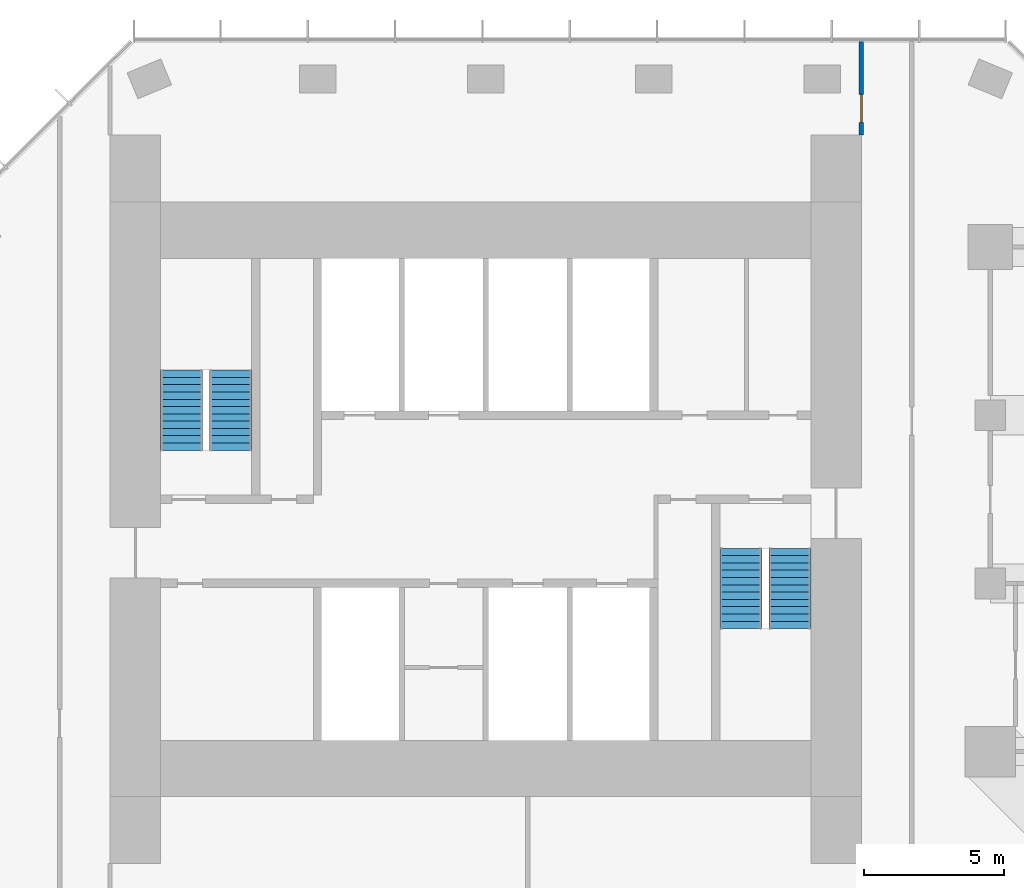
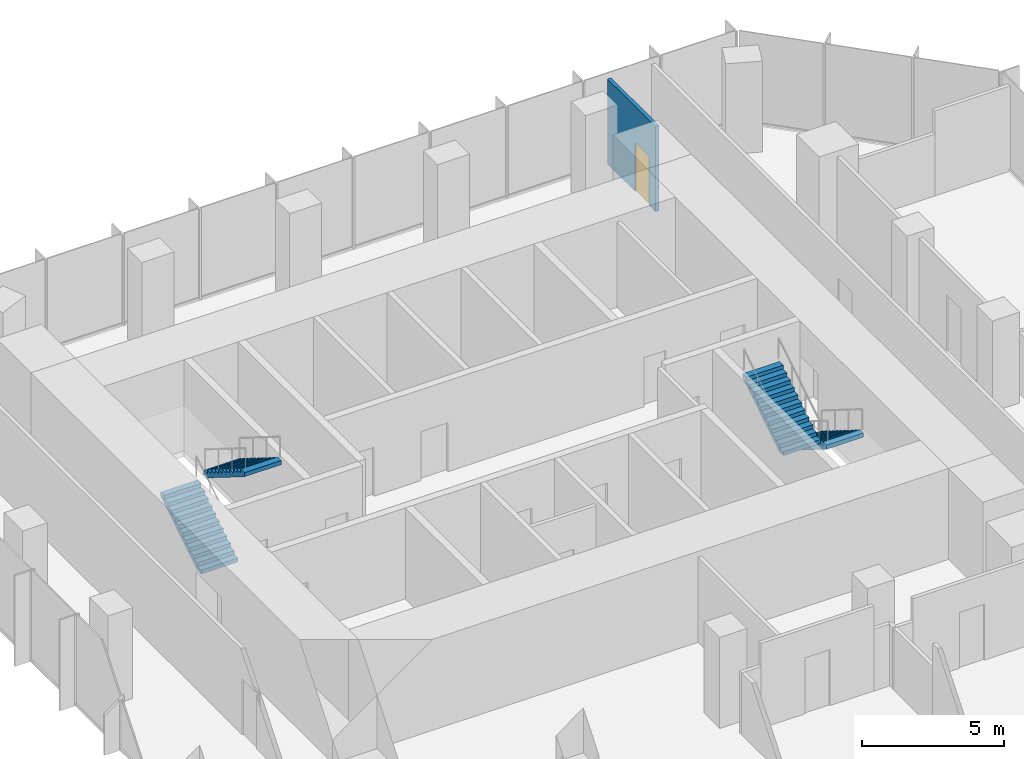
# One storey, part 10 of 11: 4 stair flights, 1 door, 1 wall, 1 opening, 2 elements without a shape of their own.
"""IFC4 building model written with IfcOpenShell, lengths in metres."""

import ifcopenshell
import ifcopenshell.guid

model = None  # the IFC model being written
_history = None  # IfcOwnerHistory: only IFC2X3 demands one
_inside = {}  # id of a spatial element -> (the spatial element, [elements in it])
_under = {}  # id of a project, library or spatial element -> (it, [spatial elements below it])
_declared = {}  # id of a project -> (the project, [libraries it declares])
_typed = {}  # id of a type object -> (the type object, [elements of that type])
_made_of = {}  # id of a material, layer set ... -> (it, [elements and type objects made of it])


def new_model(schema):
    """Start an empty IFC model of exactly this schema.

    Asked for "IFC4X3", IfcOpenShell would pick the latest addendum, in which some entities
    have other attributes; the version numbers below select the first issue.
    IFC2X3 requires an IfcOwnerHistory on every rooted entity: one is made here for all.
    """
    global model, _history
    if schema == "IFC4X3":
        model = ifcopenshell.file(schema_version=(4, 3, 0, 0))
    else:
        model = ifcopenshell.file(schema=schema)
    _inside.clear()
    _under.clear()
    _declared.clear()
    _typed.clear()
    _made_of.clear()
    _history = None
    if model.schema == "IFC2X3":
        org = make("IfcOrganization", Name="unknown")
        user = make(
            "IfcPersonAndOrganization",
            ThePerson=make("IfcPerson", FamilyName="unknown"),
            TheOrganization=org,
        )
        app = make(
            "IfcApplication",
            ApplicationDeveloper=org,
            Version="unknown",
            ApplicationFullName="unknown",
            ApplicationIdentifier="unknown",
        )
        _history = make(
            "IfcOwnerHistory",
            OwningUser=user,
            OwningApplication=app,
            ChangeAction="ADDED",
            CreationDate=0,
        )
    return model


def make(cls, **values):
    """One entity of the class cls with the attributes given. An attribute that is None is left unset."""
    return model.create_entity(
        cls, **{name: value for name, value in values.items() if value is not None}
    )


def rooted(cls, **values):
    """An entity with a GlobalId (a new one), such as an element, a storey or a relation."""
    return make(cls, GlobalId=ifcopenshell.guid.new(), OwnerHistory=_history, **values)


def si_unit(unit_type, name, prefix=None):
    """IfcSIUnit, for example si_unit("LENGTHUNIT", "METRE", prefix="MILLI")."""
    return make("IfcSIUnit", UnitType=unit_type, Prefix=prefix, Name=name)


def assignment(units):
    """IfcUnitAssignment: the units of a project."""
    return None if units is None else make("IfcUnitAssignment", Units=units)


def point(xyz):
    """IfcCartesianPoint."""
    return None if xyz is None else make("IfcCartesianPoint", Coordinates=xyz)


def direction(xyz):
    """IfcDirection."""
    return None if xyz is None else make("IfcDirection", DirectionRatios=xyz)


def frame(location, z_axis=None, x_axis=None):
    """IfcAxis2Placement3D, a coordinate frame: its origin and axes. An axis left out is left unset."""
    return make(
        "IfcAxis2Placement3D",
        Location=point(location),
        Axis=direction(z_axis),
        RefDirection=direction(x_axis),
    )


def frame_2d(location, x_axis=None):
    """IfcAxis2Placement2D, a coordinate frame in the plane: its origin and x axis."""
    return make(
        "IfcAxis2Placement2D", Location=point(location), RefDirection=direction(x_axis)
    )


def origin():
    """The frame at (0, 0, 0) with its axes left unset."""
    return frame((0.0, 0.0, 0.0))


def place(relative_to, where):
    """IfcLocalPlacement: puts the frame where relative to a parent placement (None: the world)."""
    return make(
        "IfcLocalPlacement", PlacementRelTo=relative_to, RelativePlacement=where
    )


def context(
    kind, dimensions, precision=None, world=None, true_north=None, identifier=None
):
    """IfcGeometricRepresentationContext, for example the 3D "Model" context."""
    return make(
        "IfcGeometricRepresentationContext",
        ContextIdentifier=identifier,
        ContextType=kind,
        CoordinateSpaceDimension=dimensions,
        Precision=precision,
        WorldCoordinateSystem=world,
        TrueNorth=true_north,
    )


def subcontext(parent, identifier, kind, view, scale=None):
    """IfcGeometricRepresentationSubContext, for example "Body" below "Model"."""
    return make(
        "IfcGeometricRepresentationSubContext",
        ContextIdentifier=identifier,
        ContextType=kind,
        ParentContext=parent,
        TargetScale=scale,
        TargetView=view,
    )


def project(units=None, contexts=None):
    """IfcProject with its units and contexts."""
    return rooted(
        "IfcProject",
        Name="project",
        RepresentationContexts=contexts,
        UnitsInContext=assignment(units),
    )


def spatial(cls, under=None, at=None, **own):
    """A site, building, storey or space (cls), placed at a placement, below another one or the project."""
    s = rooted(cls, ObjectPlacement=at, **own)
    if under is not None:
        _under.setdefault(under.id(), (under, []))[1].append(s)
    return s


def polyline(points):
    """IfcPolyline through the points."""
    return make("IfcPolyline", Points=[point(p) for p in points])


def profile(cls, at=None, kind="AREA", **sizes):
    """A parametric profile (cls). Its sizes go by their IFC names, for example OverallWidth=200.0."""
    return make(cls, ProfileType=kind, Position=at, **sizes)


def rectangle(**sizes):
    """IfcRectangleProfileDef."""
    return profile("IfcRectangleProfileDef", **sizes)


def outline(outer, holes=None, kind="AREA"):
    """IfcArbitraryClosedProfileDef: a profile drawn as a closed curve; with holes, ...WithVoids."""
    if holes is None:
        return make("IfcArbitraryClosedProfileDef", ProfileType=kind, OuterCurve=outer)
    return make(
        "IfcArbitraryProfileDefWithVoids",
        ProfileType=kind,
        OuterCurve=outer,
        InnerCurves=holes,
    )


def extrude(swept, where, along, depth):
    """IfcExtrudedAreaSolid: the profile swept, set in the frame where, extruded along a direction by depth."""
    return make(
        "IfcExtrudedAreaSolid",
        SweptArea=swept,
        Position=where,
        ExtrudedDirection=direction(along),
        Depth=depth,
    )


def shape(context_of_items, identifier, shape_type, items):
    """IfcShapeRepresentation: the items that make up one representation, for example the "Body"."""
    return make(
        "IfcShapeRepresentation",
        ContextOfItems=context_of_items,
        RepresentationIdentifier=identifier,
        RepresentationType=shape_type,
        Items=items,
    )


def material(Name=None, Category=None):
    """IfcMaterial."""
    return make("IfcMaterial", Name=Name, Category=Category)


def layer(
    of_material, thickness, ventilated=None, Name=None, Category=None, Priority=None
):
    """IfcMaterialLayer: one layer of a wall or slab, of a material (None: an air gap)."""
    return make(
        "IfcMaterialLayer",
        Material=of_material,
        LayerThickness=thickness,
        IsVentilated=ventilated,
        Name=Name,
        Category=Category,
        Priority=Priority,
    )


def layer_set(layers, Name=None):
    """IfcMaterialLayerSet."""
    return make("IfcMaterialLayerSet", MaterialLayers=layers, LayerSetName=Name)


def made_of(thing, what):
    """Note that an element or type object is made of a material, layer set ...; save() writes the relation."""
    if what is not None:
        _made_of.setdefault(what.id(), (what, []))[1].append(thing)
    return thing


def type_object(cls, material=None, **own):
    """A type object (cls), such as IfcWallType, which elements share."""
    return made_of(rooted(cls, **own), material)


def element(
    cls,
    number,
    at=None,
    inside=None,
    cuts=None,
    type_object=None,
    material=None,
    context=None,
    identifier="Body",
    shape_type=None,
    held_by="IfcProductDefinitionShape",
    body=None,
    shapes=None,
    **own,
):
    """One element of the class cls, such as IfcWall. Its Tag is "e" and its number.

    at: its placement. inside: the storey or other place that contains it. cuts: it is an
    opening in that element (IfcRelVoidsElement). A single representation is given by context,
    identifier, shape_type and body (its items); several are given by shapes. held_by: the class
    of the entity that holds the representations. save() writes the other relations.
    """
    e = rooted(cls, Tag="e%d" % number, ObjectPlacement=at, **own)
    if body is not None:
        shapes = [shape(context, identifier, shape_type, body)]
    if shapes is not None:
        e.Representation = make(held_by, Representations=shapes)
    if inside is not None:
        _inside.setdefault(inside.id(), (inside, []))[1].append(e)
    if cuts is not None:
        rooted(
            "IfcRelVoidsElement", RelatingBuildingElement=cuts, RelatedOpeningElement=e
        )
    if type_object is not None:
        _typed.setdefault(type_object.id(), (type_object, []))[1].append(e)
    return made_of(e, material)


def fill(opening, filler):
    """IfcRelFillsElement: the door or window that sits in an opening."""
    return rooted(
        "IfcRelFillsElement",
        RelatingOpeningElement=opening,
        RelatedBuildingElement=filler,
    )


def aggregate(whole, parts):
    """IfcRelAggregates: a whole, such as a stair, and the parts it consists of."""
    return rooted("IfcRelAggregates", RelatingObject=whole, RelatedObjects=parts)


def save(model, path):
    """Write the relations noted so far, then the file.

    IfcRelAggregates (storeys below a building ...), IfcRelContainedInSpatialStructure (elements
    in a storey), IfcRelDefinesByType, IfcRelAssociatesMaterial and IfcRelDeclares: one each for
    every whole, place, type object, material and project.
    """
    for whole, parts in _under.values():
        aggregate(whole, parts)
    for where, things in _inside.values():
        rooted(
            "IfcRelContainedInSpatialStructure",
            RelatedElements=things,
            RelatingStructure=where,
        )
    for kind, things in _typed.values():
        rooted("IfcRelDefinesByType", RelatedObjects=things, RelatingType=kind)
    for what, things in _made_of.values():
        rooted("IfcRelAssociatesMaterial", RelatedObjects=things, RelatingMaterial=what)
    for by, libraries in _declared.values():
        rooted("IfcRelDeclares", RelatingContext=by, RelatedDefinitions=libraries)
    model.write(path)


model = new_model("IFC4")

# Units and contexts
model_context = context("Model", 3, precision=1e-05, world=origin(), true_north=direction((0.0, 1.0)))
body_context = subcontext(model_context, "Body", "Model", "MODEL_VIEW")
ifc_project = project(units=[si_unit("LENGTHUNIT", "METRE"), si_unit("AREAUNIT", "SQUARE_METRE"), si_unit("VOLUMEUNIT", "CUBIC_METRE"), si_unit("PLANEANGLEUNIT", "RADIAN"), si_unit("MASSUNIT", "GRAM", prefix="KILO")], contexts=[model_context])

# Site, building, storey
site_placement = place(None, origin())
site = spatial("IfcSite", under=ifc_project, at=site_placement, CompositionType="ELEMENT")
building_placement = place(site_placement, origin())
building = spatial("IfcBuilding", under=site, at=building_placement, Name="Highveld Stack Headquarters", CompositionType="ELEMENT")
storey_placement = place(building_placement, frame((0.0, 0.0, 272.300048828125)))
storey = spatial("IfcBuildingStorey", under=building, at=storey_placement, Name="L67", CompositionType="ELEMENT", Elevation=272.300048828125)

# Wall, opening, door
ifc_material_1 = material(Name="Gypsum plasterboard on steel studs", Category="steel")
ifc_layer = layer(ifc_material_1, 0.14990234375)
ifc_layer_set = layer_set([ifc_layer], Name="Gypsum plasterboard on steel studs")
wall_type = type_object("IfcWallType", Name="PARTITION 150 PLASTERBOARD", PredefinedType="PARTITIONING", material=ifc_layer_set)
wall_placement = place(storey_placement, frame((19.39990234375, 16.0, 0.0), z_axis=(0.0, 0.0, 1.0), x_axis=(0.0, 1.0, 0.0)))
wall = element("IfcWall", 1, at=wall_placement, inside=storey, type_object=wall_type, Name="Partition office neighbourhood L67", PredefinedType="PARTITIONING", context=body_context, shape_type="SweptSolid", body=[
    extrude(rectangle(XDim=3.375, YDim=0.14990234375, at=frame_2d((1.6875, 0.0))), origin(), (0.0, 0.0, 1.0), 3.64990234375),
])
opening_placement = place(wall_placement, frame((0.449951171875, 0.0, 0.0)))
opening = element("IfcOpeningElement", 2, at=opening_placement, cuts=wall, Name="Opening L67-22", PredefinedType="OPENING", context=body_context, shape_type="SweptSolid", body=[
    extrude(rectangle(XDim=1.0, YDim=2.10009765625, at=frame_2d((0.5, 1.050048828125))), frame((0.0, 0.0849609375, 0.0), z_axis=(0.0, -1.0, 0.0), x_axis=(1.0, 0.0, 0.0)), (0.0, 0.0, 1.0), 0.169921875),
])
ifc_material_2 = material(Name="Timber door, oiled ash", Category="wood")
door_type = type_object("IfcDoorType", Name="ROOM DOOR D6 1000x2100", OperationType="SINGLE_SWING_LEFT", PredefinedType="DOOR", material=ifc_material_2)
door_placement = place(opening_placement, origin())
door = element("IfcDoor", 3, at=door_placement, inside=storey, type_object=door_type, Name="Office neighbourhood door L67", OperationType="SINGLE_SWING_LEFT", OverallHeight=2.10009765625, OverallWidth=1.0, PredefinedType="DOOR", context=body_context, shape_type="SweptSolid", body=[
    extrude(rectangle(XDim=1.0, YDim=2.10009765625, at=frame_2d((0.5, 1.050048828125))), frame((0.0, 0.02490234375, 0.0), z_axis=(0.0, -1.0, 0.0), x_axis=(1.0, 0.0, 0.0)), (0.0, 0.0, 1.0), 0.050048828125),
])
fill(opening, door)

# Stair, stair flights
ifc_material_3 = material(Name="Concrete C40/50, precast", Category="concrete")
stair_type_1 = type_object("IfcStairType", Name="STAIR S1 HALF TURN 1500", PredefinedType="HALF_TURN_STAIR", material=ifc_material_3)
stair_1_placement = place(storey_placement, origin())
stair_1 = element("IfcStair", 4, at=stair_1_placement, inside=storey, type_object=stair_type_1, Name="Stair S1 L67", PredefinedType="HALF_TURN_STAIR")
ifc_material_4 = material(Name="Concrete C40/50, precast", Category="concrete")
stair_flight_type = type_object("IfcStairFlightType", Name="STAIR FLIGHT 1500 PRECAST", PredefinedType="STRAIGHT", material=ifc_material_4)
stair_flight_1_placement = place(storey_placement, frame((-4.85009765625, 4.75, 0.0), z_axis=(0.0, 0.0, 1.0), x_axis=(0.0, 1.0, 0.0)))
stair_flight_1 = element("IfcStairFlight", 5, at=stair_flight_1_placement, type_object=stair_flight_type, Name="S1 flight 1", NumberOfRisers=12, NumberOfTreads=11, PredefinedType="STRAIGHT", RiserHeight=0.1625, TreadLength=0.26, context=body_context, shape_type="SweptSolid", body=[
    extrude(outline(polyline([(0.0, 0.0), (0.0, 0.16259765625), (0.260009765625, 0.16259765625), (0.260009765625, 0.324951171875), (0.52001953125, 0.324951171875), (0.52001953125, 0.487548828125), (0.780029296875, 0.487548828125), (0.780029296875, 0.64990234375), (1.0400390625, 0.64990234375), (1.0400390625, 0.8125), (1.300048828125, 0.8125), (1.300048828125, 0.97509765625), (1.56005859375, 0.97509765625), (1.56005859375, 1.137451171875), (1.820068359375, 1.137451171875), (1.820068359375, 1.300048828125), (2.080078125, 1.300048828125), (2.080078125, 1.46240234375), (2.340087890625, 1.46240234375), (2.340087890625, 1.625), (2.60009765625, 1.625), (2.60009765625, 1.78759765625), (2.860107421875, 1.78759765625), (2.860107421875, 1.949951171875), (2.860107421875, 1.61083984375), (0.28271484375, 0.0), (0.0, 0.0)])), frame((0.0, 0.75, 0.0), z_axis=(0.0, -1.0, 0.0), x_axis=(1.0, 0.0, 0.0)), (0.0, 0.0, 1.0), 1.5),
])
stair_flight_2_placement = place(storey_placement, frame((-3.10009765625, 7.610107421875, 1.949951171875), z_axis=(0.0, 0.0, 1.0), x_axis=(0.0, -1.0, 0.0)))
stair_flight_2 = element("IfcStairFlight", 6, at=stair_flight_2_placement, type_object=stair_flight_type, Name="S1 flight 2", NumberOfRisers=12, NumberOfTreads=11, PredefinedType="STRAIGHT", RiserHeight=0.1625, TreadLength=0.26, context=body_context, shape_type="SweptSolid", body=[
    extrude(outline(polyline([(0.0, 0.0), (0.0, 0.16259765625), (0.260009765625, 0.16259765625), (0.260009765625, 0.324951171875), (0.52001953125, 0.324951171875), (0.52001953125, 0.487548828125), (0.780029296875, 0.487548828125), (0.780029296875, 0.64990234375), (1.0400390625, 0.64990234375), (1.0400390625, 0.8125), (1.300048828125, 0.8125), (1.300048828125, 0.97509765625), (1.56005859375, 0.97509765625), (1.56005859375, 1.137451171875), (1.820068359375, 1.137451171875), (1.820068359375, 1.300048828125), (2.080078125, 1.300048828125), (2.080078125, 1.46240234375), (2.340087890625, 1.46240234375), (2.340087890625, 1.625), (2.60009765625, 1.625), (2.60009765625, 1.78759765625), (2.860107421875, 1.78759765625), (2.860107421875, 1.949951171875), (2.860107421875, 1.61083984375), (0.28271484375, 0.0), (0.0, 0.0)])), frame((0.0, 0.75, 0.0), z_axis=(0.0, -1.0, 0.0), x_axis=(1.0, 0.0, 0.0)), (0.0, 0.0, 1.0), 1.5),
])
aggregate(stair_1, [stair_flight_1, stair_flight_2])

ifc_material_5 = material(Name="Concrete C40/50, precast", Category="concrete")
stair_type_2 = type_object("IfcStairType", Name="STAIR S2 HALF TURN 1500", PredefinedType="HALF_TURN_STAIR", material=ifc_material_5)
stair_2_placement = place(storey_placement, origin())
stair_2 = element("IfcStair", 7, at=stair_2_placement, inside=storey, type_object=stair_type_2, Name="Stair S2 L67", PredefinedType="HALF_TURN_STAIR")
stair_flight_3_placement = place(storey_placement, frame((16.85009765625, 1.25, 0.0), z_axis=(0.0, 0.0, 1.0), x_axis=(0.0, -1.0, 0.0)))
stair_flight_3 = element("IfcStairFlight", 8, at=stair_flight_3_placement, type_object=stair_flight_type, Name="S2 flight 1", NumberOfRisers=12, NumberOfTreads=11, PredefinedType="STRAIGHT", RiserHeight=0.1625, TreadLength=0.26, context=body_context, shape_type="SweptSolid", body=[
    extrude(outline(polyline([(0.0, 0.0), (0.0, 0.16259765625), (0.260009765625, 0.16259765625), (0.260009765625, 0.324951171875), (0.52001953125, 0.324951171875), (0.52001953125, 0.487548828125), (0.780029296875, 0.487548828125), (0.780029296875, 0.64990234375), (1.0400390625, 0.64990234375), (1.0400390625, 0.8125), (1.300048828125, 0.8125), (1.300048828125, 0.97509765625), (1.56005859375, 0.97509765625), (1.56005859375, 1.137451171875), (1.820068359375, 1.137451171875), (1.820068359375, 1.300048828125), (2.080078125, 1.300048828125), (2.080078125, 1.46240234375), (2.340087890625, 1.46240234375), (2.340087890625, 1.625), (2.60009765625, 1.625), (2.60009765625, 1.78759765625), (2.860107421875, 1.78759765625), (2.860107421875, 1.949951171875), (2.860107421875, 1.61083984375), (0.28271484375, 0.0), (0.0, 0.0)])), frame((0.0, 0.75, 0.0), z_axis=(0.0, -1.0, 0.0), x_axis=(1.0, 0.0, 0.0)), (0.0, 0.0, 1.0), 1.5),
])
stair_flight_4_placement = place(storey_placement, frame((15.10009765625, -1.610107421875, 1.949951171875), z_axis=(0.0, 0.0, 1.0), x_axis=(0.0, 1.0, 0.0)))
stair_flight_4 = element("IfcStairFlight", 9, at=stair_flight_4_placement, type_object=stair_flight_type, Name="S2 flight 2", NumberOfRisers=12, NumberOfTreads=11, PredefinedType="STRAIGHT", RiserHeight=0.1625, TreadLength=0.26, context=body_context, shape_type="SweptSolid", body=[
    extrude(outline(polyline([(0.0, 0.0), (0.0, 0.16259765625), (0.260009765625, 0.16259765625), (0.260009765625, 0.324951171875), (0.52001953125, 0.324951171875), (0.52001953125, 0.487548828125), (0.780029296875, 0.487548828125), (0.780029296875, 0.64990234375), (1.0400390625, 0.64990234375), (1.0400390625, 0.8125), (1.300048828125, 0.8125), (1.300048828125, 0.97509765625), (1.56005859375, 0.97509765625), (1.56005859375, 1.137451171875), (1.820068359375, 1.137451171875), (1.820068359375, 1.300048828125), (2.080078125, 1.300048828125), (2.080078125, 1.46240234375), (2.340087890625, 1.46240234375), (2.340087890625, 1.625), (2.60009765625, 1.625), (2.60009765625, 1.78759765625), (2.860107421875, 1.78759765625), (2.860107421875, 1.949951171875), (2.860107421875, 1.61083984375), (0.28271484375, 0.0), (0.0, 0.0)])), frame((0.0, 0.75, 0.0), z_axis=(0.0, -1.0, 0.0), x_axis=(1.0, 0.0, 0.0)), (0.0, 0.0, 1.0), 1.5),
])
aggregate(stair_2, [stair_flight_3, stair_flight_4])

save(model, "model.ifc")
